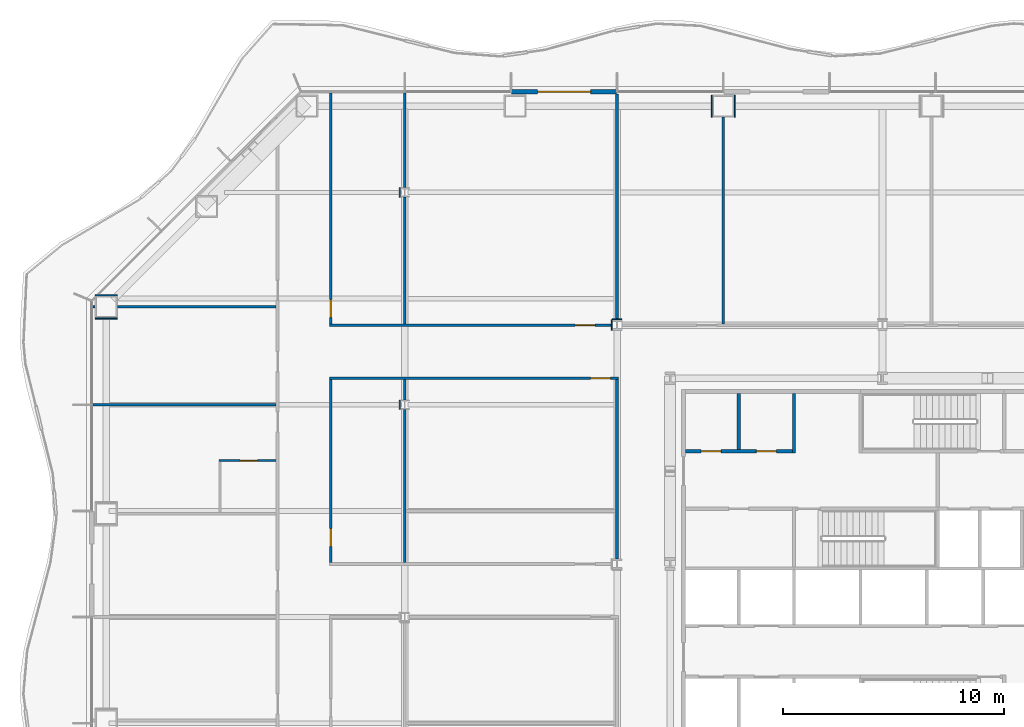
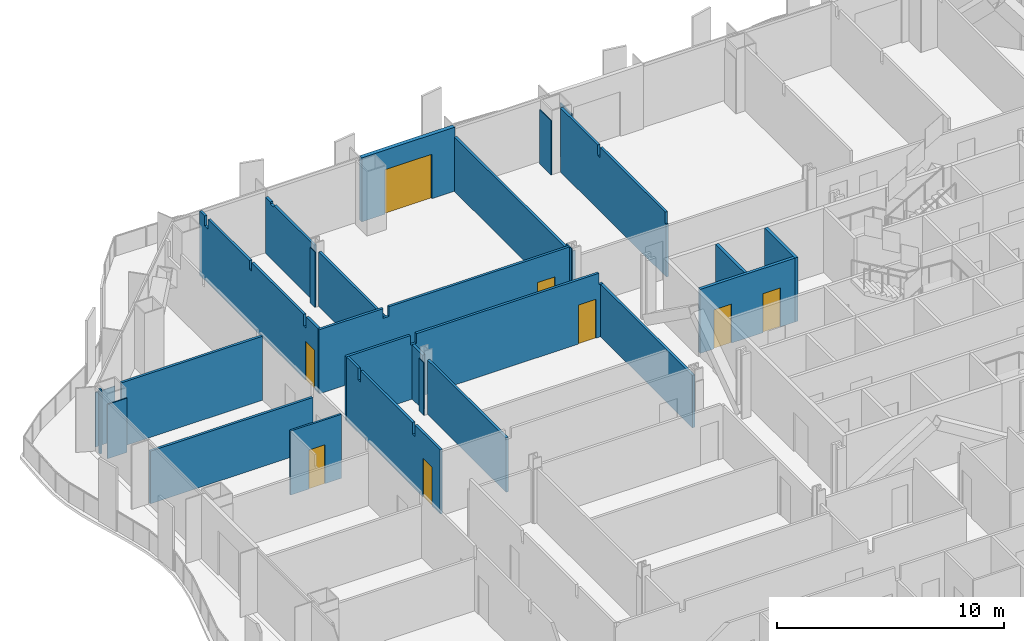
# One storey, part 12 of 21: 27 walls, 8 doors, 8 openings.
"""IFC4 building model written with IfcOpenShell, lengths in metres."""

from ifc_helpers import new_model, si_unit, direction, frame, frame_2d, origin, place, context, subcontext, project, spatial, polyline, rectangle, outline, extrude, material, layer, layer_set, type_object, element, fill, save


model = new_model("IFC4")

# Units and contexts
model_context = context("Model", 3, precision=1e-05, world=origin(), true_north=direction((0.0, 1.0)))
body_context = subcontext(model_context, "Body", "Model", "MODEL_VIEW")
ifc_project = project(units=[si_unit("LENGTHUNIT", "METRE"), si_unit("AREAUNIT", "SQUARE_METRE"), si_unit("VOLUMEUNIT", "CUBIC_METRE"), si_unit("PLANEANGLEUNIT", "RADIAN"), si_unit("MASSUNIT", "GRAM", prefix="KILO")], contexts=[model_context])

# Site, building, storey
site_placement = place(None, origin())
site = spatial("IfcSite", under=ifc_project, at=site_placement, CompositionType="ELEMENT")
building_placement = place(site_placement, origin())
building = spatial("IfcBuilding", under=site, at=building_placement, Name="Cairn Pilgrim Tower", CompositionType="ELEMENT")
storey_placement = place(building_placement, frame((0.0, 0.0, 43.800048828125)))
storey = spatial("IfcBuildingStorey", under=building, at=storey_placement, Name="L08", CompositionType="ELEMENT", Elevation=43.800048828125)

# Wall, opening, door
ifc_material_1 = material(Name="Bronze anodised aluminium insulated sandwich panel with mineral wool fill", Category="aluminium")
ifc_layer_1 = layer(ifc_material_1, 0.199951171875)
ifc_layer_set_1 = layer_set([ifc_layer_1], Name="BRONZE INFILL FRAME WALL 200")
wall_type_1 = type_object("IfcWallType", Name="BRONZE INFILL FRAME WALL 200", PredefinedType="NOTDEFINED", material=ifc_layer_set_1)
wall_1_placement = place(storey_placement, frame((-4.830078125, 23.75, 0.0), z_axis=(0.0, 0.0, 1.0), x_axis=(-1.0, 0.0, 0.0)))
wall_1 = element("IfcWall", 1, at=wall_1_placement, inside=storey, type_object=wall_type_1, Name="Bronze infill frame wall IW-N6", PredefinedType="NOTDEFINED", context=body_context, shape_type="SweptSolid", body=[
    extrude(rectangle(XDim=4.739990234375, YDim=0.199951171875, at=frame_2d((2.3701171875, 0.0))), origin(), (0.0, 0.0, 1.0), 3.449951171875),
])
opening_1_placement = place(wall_1_placement, frame((1.169921875, 0.0, 0.0)))
opening_1 = element("IfcOpeningElement", 2, at=opening_1_placement, cuts=wall_1, Name="Opening 0816B", PredefinedType="OPENING", context=body_context, shape_type="SweptSolid", body=[
    extrude(rectangle(XDim=2.39990234375, YDim=2.39990234375, at=frame_2d((1.199951171875, 1.199951171875))), frame((0.0, 0.10986328125, 0.0), z_axis=(0.0, -1.0, 0.0), x_axis=(1.0, 0.0, 0.0)), (0.0, 0.0, 1.0), 0.219970703125),
])
ifc_material_2 = material(Name="Bronze anodised aluminium frame with tinted low-E glass", Category="aluminium")
door_type_1 = type_object("IfcDoorType", Name="BALCONY SLIDING DOOR 2400x2400", OperationType="DOUBLE_DOOR_SLIDING", PredefinedType="DOOR", material=ifc_material_2)
door_1_placement = place(opening_1_placement, origin())
door_1 = element("IfcDoor", 3, at=door_1_placement, inside=storey, type_object=door_type_1, Name="Balcony sliding door 0816B", OperationType="SINGLE_SWING_LEFT", OverallHeight=2.39990234375, OverallWidth=2.39990234375, PredefinedType="DOOR", context=body_context, shape_type="SweptSolid", body=[
    extrude(rectangle(XDim=2.39990234375, YDim=2.39990234375, at=frame_2d((1.199951171875, 1.199951171875))), frame((0.0, 0.02490234375, 0.0), z_axis=(0.0, -1.0, 0.0), x_axis=(1.0, 0.0, 0.0)), (0.0, 0.0, 1.0), 0.050048828125),
])
fill(opening_1, door_1)

# Wall, openings, doors
ifc_material_3 = material(Name="Concrete C32/40", Category="concrete")
ifc_layer_2 = layer(ifc_material_3, 0.14990234375)
ifc_layer_set_2 = layer_set([ifc_layer_2], Name="CORE PARTITION 150 EI 60")
wall_type_2 = type_object("IfcWallType", Name="CORE PARTITION 150 EI 60", PredefinedType="PARTITIONING", material=ifc_layer_set_2)
wall_2_placement = place(storey_placement, frame((-1.699951171875, 7.5, 0.0), z_axis=(0.0, 0.0, 1.0), x_axis=(1.0, 0.0, 0.0)))
wall_2 = element("IfcWall", 4, at=wall_2_placement, inside=storey, type_object=wall_type_2, Name="CW:L08:H09", PredefinedType="PARTITIONING", context=body_context, shape_type="SweptSolid", body=[
    extrude(rectangle(XDim=4.824951171875, YDim=0.14990234375, at=frame_2d((2.41259765625, 0.0))), origin(), (0.0, 0.0, 1.0), 3.449951171875),
])
opening_2_placement = place(wall_2_placement, frame((0.699951171875, 0.0, 0.0)))
opening_2 = element("IfcOpeningElement", 5, at=opening_2_placement, cuts=wall_2, Name="Opening RD-R4W1", PredefinedType="OPENING", context=body_context, shape_type="SweptSolid", body=[
    extrude(rectangle(XDim=0.89990234375, YDim=2.10009765625, at=frame_2d((0.449951171875, 1.050048828125))), frame((0.0, 0.0849609375, 0.0), z_axis=(0.0, -1.0, 0.0), x_axis=(1.0, 0.0, 0.0)), (0.0, 0.0, 1.0), 0.169921875),
])
opening_3_placement = place(wall_2_placement, frame((3.199951171875, 0.0, 0.0)))
opening_3 = element("IfcOpeningElement", 6, at=opening_3_placement, cuts=wall_2, Name="Opening RD-R4W2", PredefinedType="OPENING", context=body_context, shape_type="SweptSolid", body=[
    extrude(rectangle(XDim=0.89990234375, YDim=2.10009765625, at=frame_2d((0.449951171875, 1.050048828125))), frame((0.0, 0.0849609375, 0.0), z_axis=(0.0, -1.0, 0.0), x_axis=(1.0, 0.0, 0.0)), (0.0, 0.0, 1.0), 0.169921875),
])
ifc_material_4 = material(Name="Painted steel", Category="steel")
door_type_2 = type_object("IfcDoorType", Name="SERVICE ROOM DOOR 900x2100", OperationType="SINGLE_SWING_LEFT", PredefinedType="DOOR", material=ifc_material_4)
door_2_placement = place(opening_2_placement, origin())
door_2 = element("IfcDoor", 7, at=door_2_placement, inside=storey, type_object=door_type_2, Name="RD-R4W1", OperationType="SINGLE_SWING_RIGHT", OverallHeight=2.10009765625, OverallWidth=0.89990234375, PredefinedType="DOOR", context=body_context, shape_type="SweptSolid", body=[
    extrude(rectangle(XDim=0.89990234375, YDim=2.10009765625, at=frame_2d((0.449951171875, 1.050048828125))), frame((0.0, 0.02490234375, 0.0), z_axis=(0.0, -1.0, 0.0), x_axis=(1.0, 0.0, 0.0)), (0.0, 0.0, 1.0), 0.050048828125),
])
fill(opening_2, door_2)
door_3_placement = place(opening_3_placement, origin())
door_3 = element("IfcDoor", 8, at=door_3_placement, inside=storey, type_object=door_type_2, Name="RD-R4W2", OperationType="SINGLE_SWING_LEFT", OverallHeight=2.10009765625, OverallWidth=0.89990234375, PredefinedType="DOOR", context=body_context, shape_type="SweptSolid", body=[
    extrude(rectangle(XDim=0.89990234375, YDim=2.10009765625, at=frame_2d((0.449951171875, 1.050048828125))), frame((0.0, 0.02490234375, 0.0), z_axis=(0.0, -1.0, 0.0), x_axis=(1.0, 0.0, 0.0)), (0.0, 0.0, 1.0), 0.050048828125),
])
fill(opening_3, door_3)

# Walls
wall_3_placement = place(storey_placement, frame((0.699951171875, 7.574951171875, 0.0), z_axis=(0.0, 0.0, 1.0), x_axis=(0.0, 1.0, 0.0)))
element("IfcWall", 9, at=wall_3_placement, inside=storey, type_object=wall_type_2, Name="CW:L08:V15", PredefinedType="PARTITIONING", context=body_context, shape_type="SweptSolid", body=[
    extrude(rectangle(XDim=2.525146484375, YDim=0.14990234375, at=frame_2d((1.2626953125, 0.0))), origin(), (0.0, 0.0, 1.0), 3.449951171875),
])
wall_4_placement = place(storey_placement, frame((3.199951171875, 7.425048828125, 0.0), z_axis=(0.0, 0.0, 1.0), x_axis=(0.0, 1.0, 0.0)))
element("IfcWall", 10, at=wall_4_placement, inside=storey, type_object=wall_type_2, Name="CW:L08:V19", PredefinedType="PARTITIONING", context=body_context, shape_type="SweptSolid", body=[
    extrude(rectangle(XDim=2.675048828125, YDim=0.14990234375, at=frame_2d((1.33740234375, 0.0))), origin(), (0.0, 0.0, 1.0), 3.449951171875),
])

# Wall, opening, door
ifc_material_5 = material(Name="Gypsum partition")
ifc_layer_3 = layer(ifc_material_5, 0.10009765625)
ifc_layer_set_3 = layer_set([ifc_layer_3], Name="PARTITION 100 DRYWALL")
wall_type_3 = type_object("IfcWallType", Name="PARTITION 100 DRYWALL", PredefinedType="PARTITIONING", material=ifc_layer_set_3)
wall_5_placement = place(storey_placement, frame((-22.800048828125, 7.075927734375, 0.0), z_axis=(0.0, 0.0, 1.0), x_axis=(1.0, 0.0, 0.0)))
wall_5 = element("IfcWall", 11, at=wall_5_placement, inside=storey, type_object=wall_type_3, Name="PARTITION W068", PredefinedType="PARTITIONING", context=body_context, shape_type="SweptSolid", body=[
    extrude(rectangle(XDim=2.587646484375, YDim=0.10009765625, at=frame_2d((1.2939453125, 0.0))), origin(), (0.0, 0.0, 1.0), 3.449951171875),
])
opening_4_placement = place(wall_5_placement, frame((0.949951171875, 0.0, 0.0)))
opening_4 = element("IfcOpeningElement", 12, at=opening_4_placement, cuts=wall_5, Name="Opening 0812E", PredefinedType="OPENING", context=body_context, shape_type="SweptSolid", body=[
    extrude(rectangle(XDim=0.800048828125, YDim=2.10009765625, at=frame_2d((0.39990234375, 1.050048828125))), frame((0.0, 0.06005859375, 0.0), z_axis=(0.0, -1.0, 0.0), x_axis=(1.0, 0.0, 0.0)), (0.0, 0.0, 1.0), 0.1201171875),
])
ifc_material_6 = material(Name="Timber door leaf", Category="wood")
door_type_3 = type_object("IfcDoorType", Name="DOOR 800x2100", OperationType="NOTDEFINED", PredefinedType="DOOR", material=ifc_material_6)
door_4_placement = place(opening_4_placement, frame((0.800048828125, 0.0, 0.0), z_axis=(0.0, 0.0, 1.0), x_axis=(-1.0, 0.0, 0.0)))
door_4 = element("IfcDoor", 13, at=door_4_placement, inside=storey, type_object=door_type_3, Name="DOOR 0812E", OperationType="SINGLE_SWING_LEFT", OverallHeight=2.10009765625, OverallWidth=0.800048828125, PredefinedType="DOOR", context=body_context, shape_type="SweptSolid", body=[
    extrude(rectangle(XDim=0.800048828125, YDim=2.10009765625, at=frame_2d((0.39990234375, 1.050048828125))), frame((0.0, 0.02490234375, 0.0), z_axis=(0.0, -1.0, 0.0), x_axis=(1.0, 0.0, 0.0)), (0.0, 0.0, 1.0), 0.050048828125),
])
fill(opening_4, door_4)

ifc_layer_4 = layer(ifc_material_5, 0.125)
ifc_layer_set_4 = layer_set([ifc_layer_4], Name="PARTITION 125 DRYWALL EI 60")
wall_type_4 = type_object("IfcWallType", Name="PARTITION 125 DRYWALL EI 60", PredefinedType="PARTITIONING", material=ifc_layer_set_4)
wall_6_placement = place(storey_placement, frame((-17.75, 2.46240234375, 0.0), z_axis=(0.0, 0.0, 1.0), x_axis=(0.0, 1.0, 0.0)))
wall_6 = element("IfcWall", 14, at=wall_6_placement, inside=storey, type_object=wall_type_4, Name="PARTITION W060", PredefinedType="PARTITIONING", context=body_context, shape_type="SweptSolid", body=[
    extrude(outline(polyline([(0.0, 0.0), (8.275146484375, 0.0), (8.27490234375, 3.449951171875), (7.24755859375, 3.449951171875), (7.24560546875, 2.829833984375), (7.027587890625, 2.829833984375), (7.025390625, 3.449951171875), (2.447509765625, 3.449951171875), (2.445556640625, 2.829833984375), (2.2275390625, 2.829833984375), (2.2255859375, 3.449951171875), (0.0, 3.449951171875), (0.0, 0.0)])), frame((0.0, 0.0625, 0.0), z_axis=(0.0, -1.0, 0.0), x_axis=(1.0, 0.0, 0.0)), (0.0, 0.0, 1.0), 0.125),
])
opening_5_placement = place(wall_6_placement, frame((0.737548828125, 0.0, 0.0)))
opening_5 = element("IfcOpeningElement", 15, at=opening_5_placement, cuts=wall_6, Name="Opening 0833", PredefinedType="OPENING", context=body_context, shape_type="SweptSolid", body=[
    extrude(rectangle(XDim=0.800048828125, YDim=2.10009765625, at=frame_2d((0.39990234375, 1.050048828125))), frame((0.0, 0.072509765625, 0.0), z_axis=(0.0, -1.0, 0.0), x_axis=(1.0, 0.0, 0.0)), (0.0, 0.0, 1.0), 0.14501953125),
])
ifc_material_7 = material(Name="Steel-faced fire door leaf", Category="steel")
door_type_4 = type_object("IfcDoorType", Name="FIRE DOOR 800x2100 FD30S", OperationType="NOTDEFINED", PredefinedType="DOOR", material=ifc_material_7)
door_5_placement = place(opening_5_placement, frame((0.800048828125, 0.0, 0.0), z_axis=(0.0, 0.0, 1.0), x_axis=(-1.0, 0.0, 0.0)))
door_5 = element("IfcDoor", 16, at=door_5_placement, inside=storey, type_object=door_type_4, Name="DOOR 0833", OperationType="SINGLE_SWING_RIGHT", OverallHeight=2.10009765625, OverallWidth=0.800048828125, PredefinedType="DOOR", context=body_context, shape_type="SweptSolid", body=[
    extrude(rectangle(XDim=0.800048828125, YDim=2.10009765625, at=frame_2d((0.39990234375, 1.050048828125))), frame((0.0, 0.02490234375, 0.0), z_axis=(0.0, -1.0, 0.0), x_axis=(1.0, 0.0, 0.0)), (0.0, 0.0, 1.0), 0.050048828125),
])
fill(opening_5, door_5)

# Walls
wall_7_placement = place(storey_placement, frame((-14.39990234375, 2.46240234375, 0.0), z_axis=(0.0, 0.0, 1.0), x_axis=(0.0, 1.0, 0.0)))
element("IfcWall", 17, at=wall_7_placement, inside=storey, type_object=wall_type_4, Name="PARTITION W061", PredefinedType="PARTITIONING", context=body_context, shape_type="SweptSolid", body=[
    extrude(rectangle(XDim=6.925048828125, YDim=0.125, at=frame_2d((3.46240234375, 0.0))), origin(), (0.0, 0.0, 1.0), 2.929931640625),
])
wall_8_placement = place(storey_placement, frame((-4.800048828125, 2.636962890625, 0.0), z_axis=(0.0, 0.0, 1.0), x_axis=(0.0, 1.0, 0.0)))
element("IfcWall", 18, at=wall_8_placement, inside=storey, type_object=wall_type_4, Name="PARTITION W062", PredefinedType="PARTITIONING", context=body_context, shape_type="SweptSolid", body=[
    extrude(rectangle(XDim=8.1005859375, YDim=0.125, at=frame_2d((4.05029296875, 0.0))), origin(), (0.0, 0.0, 1.0), 2.829833984375),
])
wall_9_placement = place(storey_placement, frame((-28.489990234375, 9.60009765625, 0.0), z_axis=(0.0, 0.0, 1.0), x_axis=(1.0, 0.0, 0.0)))
element("IfcWall", 19, at=wall_9_placement, inside=storey, type_object=wall_type_4, Name="PARTITION W071", PredefinedType="PARTITIONING", context=body_context, shape_type="SweptSolid", body=[
    extrude(rectangle(XDim=8.277587890625, YDim=0.125, at=frame_2d((4.138671875, 0.0))), origin(), (0.0, 0.0, 1.0), 2.829833984375),
])
wall_10_placement = place(storey_placement, frame((-14.39990234375, 9.8125, 0.0), z_axis=(0.0, 0.0, 1.0), x_axis=(0.0, 1.0, 0.0)))
element("IfcWall", 20, at=wall_10_placement, inside=storey, type_object=wall_type_4, Name="PARTITION W073", PredefinedType="PARTITIONING", context=body_context, shape_type="SweptSolid", body=[
    extrude(rectangle(XDim=0.925048828125, YDim=0.125, at=frame_2d((0.46240234375, 0.0))), origin(), (0.0, 0.0, 1.0), 2.929931640625),
])

# Wall, opening, door
wall_11_placement = place(storey_placement, frame((-17.8125, 10.800048828125, 0.0), z_axis=(0.0, 0.0, 1.0), x_axis=(1.0, 0.0, 0.0)))
wall_11 = element("IfcWall", 21, at=wall_11_placement, inside=storey, type_object=wall_type_4, Name="PARTITION W074", PredefinedType="PARTITIONING", context=body_context, shape_type="SweptSolid", body=[
    extrude(outline(polyline([(0.0, 0.0), (13.074951171875, 0.0), (13.074951171875, 2.829833984375), (12.862548828125, 2.829833984375), (12.860595703125, 3.449951171875), (3.5625, 3.449951171875), (3.560546875, 2.929931640625), (3.262451171875, 2.929931640625), (3.260498046875, 3.449951171875), (0.0, 3.449951171875), (0.0, 0.0)])), frame((0.0, 0.0625, 0.0), z_axis=(0.0, -1.0, 0.0), x_axis=(1.0, 0.0, 0.0)), (0.0, 0.0, 1.0), 0.125),
])
opening_6_placement = place(wall_11_placement, frame((11.8125, 0.0, 0.0)))
opening_6 = element("IfcOpeningElement", 22, at=opening_6_placement, cuts=wall_11, Name="Opening 0831", PredefinedType="OPENING", context=body_context, shape_type="SweptSolid", body=[
    extrude(rectangle(XDim=0.89990234375, YDim=2.10009765625, at=frame_2d((0.449951171875, 1.050048828125))), frame((0.0, 0.072509765625, 0.0), z_axis=(0.0, -1.0, 0.0), x_axis=(1.0, 0.0, 0.0)), (0.0, 0.0, 1.0), 0.14501953125),
])
door_type_5 = type_object("IfcDoorType", Name="FIRE DOOR 900x2100 FD30S", OperationType="NOTDEFINED", PredefinedType="DOOR", material=ifc_material_7)
door_6_placement = place(opening_6_placement, frame((0.89990234375, 0.0, 0.0), z_axis=(0.0, 0.0, 1.0), x_axis=(-1.0, 0.0, 0.0)))
door_6 = element("IfcDoor", 23, at=door_6_placement, inside=storey, type_object=door_type_5, Name="DOOR 0831", OperationType="SINGLE_SWING_RIGHT", OverallHeight=2.10009765625, OverallWidth=0.89990234375, PredefinedType="DOOR", context=body_context, shape_type="SweptSolid", body=[
    extrude(rectangle(XDim=0.89990234375, YDim=2.10009765625, at=frame_2d((0.449951171875, 1.050048828125))), frame((0.0, 0.02490234375, 0.0), z_axis=(0.0, -1.0, 0.0), x_axis=(1.0, 0.0, 0.0)), (0.0, 0.0, 1.0), 0.050048828125),
])
fill(opening_6, door_6)

wall_12_placement = place(storey_placement, frame((-17.8125, 13.199951171875, 0.0), z_axis=(0.0, 0.0, 1.0), x_axis=(1.0, 0.0, 0.0)))
wall_12 = element("IfcWall", 24, at=wall_12_placement, inside=storey, type_object=wall_type_4, Name="PARTITION W075", PredefinedType="PARTITIONING", context=body_context, shape_type="SweptSolid", body=[
    extrude(outline(polyline([(0.0, 0.0), (12.800537109375, 0.0), (12.800537109375, 3.449951171875), (3.5625, 3.449951171875), (3.560546875, 2.929931640625), (3.262451171875, 2.929931640625), (3.260498046875, 3.449951171875), (0.0, 3.449951171875), (0.0, 0.0)])), frame((0.0, 0.0625, 0.0), z_axis=(0.0, -1.0, 0.0), x_axis=(1.0, 0.0, 0.0)), (0.0, 0.0, 1.0), 0.125),
])
opening_7_placement = place(wall_12_placement, frame((11.112548828125, 0.0, 0.0)))
opening_7 = element("IfcOpeningElement", 25, at=opening_7_placement, cuts=wall_12, Name="Opening 0816", PredefinedType="OPENING", context=body_context, shape_type="SweptSolid", body=[
    extrude(rectangle(XDim=0.89990234375, YDim=2.10009765625, at=frame_2d((0.449951171875, 1.050048828125))), frame((0.0, 0.072509765625, 0.0), z_axis=(0.0, -1.0, 0.0), x_axis=(1.0, 0.0, 0.0)), (0.0, 0.0, 1.0), 0.14501953125),
])
door_7_placement = place(opening_7_placement, origin())
door_7 = element("IfcDoor", 26, at=door_7_placement, inside=storey, type_object=door_type_5, Name="DOOR 0816", OperationType="SINGLE_SWING_LEFT", OverallHeight=2.10009765625, OverallWidth=0.89990234375, PredefinedType="DOOR", context=body_context, shape_type="SweptSolid", body=[
    extrude(rectangle(XDim=0.89990234375, YDim=2.10009765625, at=frame_2d((0.449951171875, 1.050048828125))), frame((0.0, 0.02490234375, 0.0), z_axis=(0.0, -1.0, 0.0), x_axis=(1.0, 0.0, 0.0)), (0.0, 0.0, 1.0), 0.050048828125),
])
fill(opening_7, door_7)

wall_13_placement = place(storey_placement, frame((-17.75, 13.262451171875, 0.0), z_axis=(0.0, 0.0, 1.0), x_axis=(0.0, 1.0, 0.0)))
wall_13 = element("IfcWall", 27, at=wall_13_placement, inside=storey, type_object=wall_type_4, Name="PARTITION W078", PredefinedType="PARTITIONING", context=body_context, shape_type="SweptSolid", body=[
    extrude(outline(polyline([(0.0, 0.0), (10.427490234375, 0.0), (10.427490234375, 3.449951171875), (9.987548828125, 3.449951171875), (9.985595703125, 2.929931640625), (9.6875, 2.929931640625), (9.685546875, 3.449951171875), (6.032470703125, 3.449951171875), (6.030517578125, 2.97998046875), (5.842529296875, 2.97998046875), (5.840576171875, 3.449951171875), (1.24755859375, 3.449951171875), (1.24560546875, 2.829833984375), (1.027587890625, 2.829833984375), (1.025390625, 3.449951171875), (0.0, 3.449951171875), (0.0, 0.0)])), frame((0.0, 0.0625, 0.0), z_axis=(0.0, -1.0, 0.0), x_axis=(1.0, 0.0, 0.0)), (0.0, 0.0, 1.0), 0.125),
])
opening_8_placement = place(wall_13_placement, frame((0.28759765625, 0.0, 0.0)))
opening_8 = element("IfcOpeningElement", 28, at=opening_8_placement, cuts=wall_13, Name="Opening 0815", PredefinedType="OPENING", context=body_context, shape_type="SweptSolid", body=[
    extrude(rectangle(XDim=0.800048828125, YDim=2.10009765625, at=frame_2d((0.39990234375, 1.050048828125))), frame((0.0, 0.072509765625, 0.0), z_axis=(0.0, -1.0, 0.0), x_axis=(1.0, 0.0, 0.0)), (0.0, 0.0, 1.0), 0.14501953125),
])
door_8_placement = place(opening_8_placement, frame((0.800048828125, 0.0, 0.0), z_axis=(0.0, 0.0, 1.0), x_axis=(-1.0, 0.0, 0.0)))
door_8 = element("IfcDoor", 29, at=door_8_placement, inside=storey, type_object=door_type_4, Name="DOOR 0815", OperationType="SINGLE_SWING_RIGHT", OverallHeight=2.10009765625, OverallWidth=0.800048828125, PredefinedType="DOOR", context=body_context, shape_type="SweptSolid", body=[
    extrude(rectangle(XDim=0.800048828125, YDim=2.10009765625, at=frame_2d((0.39990234375, 1.050048828125))), frame((0.0, 0.02490234375, 0.0), z_axis=(0.0, -1.0, 0.0), x_axis=(1.0, 0.0, 0.0)), (0.0, 0.0, 1.0), 0.050048828125),
])
fill(opening_8, door_8)

# Walls
wall_14_placement = place(storey_placement, frame((-14.39990234375, 13.262451171875, 0.0), z_axis=(0.0, 0.0, 1.0), x_axis=(0.0, 1.0, 0.0)))
element("IfcWall", 30, at=wall_14_placement, inside=storey, type_object=wall_type_4, Name="PARTITION W079", PredefinedType="PARTITIONING", context=body_context, shape_type="SweptSolid", body=[
    extrude(rectangle(XDim=5.72509765625, YDim=0.125, at=frame_2d((2.862548828125, 0.0))), origin(), (0.0, 0.0, 1.0), 2.929931640625),
])
wall_15_placement = place(storey_placement, frame((0.0, 13.262451171875, 0.0), z_axis=(0.0, 0.0, 1.0), x_axis=(0.0, 1.0, 0.0)))
element("IfcWall", 31, at=wall_15_placement, inside=storey, type_object=wall_type_4, Name="PARTITION W080", PredefinedType="PARTITIONING", context=body_context, shape_type="SweptSolid", body=[
    extrude(outline(polyline([(0.0, 0.0), (9.337646484375, 0.0), (9.33740234375, 3.449951171875), (6.04248046875, 3.449951171875), (6.04052734375, 2.8798828125), (5.83251953125, 2.8798828125), (5.83056640625, 3.449951171875), (0.08740234375, 3.449951171875), (0.08544921875, 2.829833984375), (0.0, 2.829833984375), (0.0, 0.0)])), frame((0.0, 0.0625, 0.0), z_axis=(0.0, -1.0, 0.0), x_axis=(1.0, 0.0, 0.0)), (0.0, 0.0, 1.0), 0.125),
])
wall_16_placement = place(storey_placement, frame((-4.800048828125, 13.43701171875, 0.0), z_axis=(0.0, 0.0, 1.0), x_axis=(0.0, 1.0, 0.0)))
element("IfcWall", 32, at=wall_16_placement, inside=storey, type_object=wall_type_4, Name="PARTITION W083", PredefinedType="PARTITIONING", context=body_context, shape_type="SweptSolid", body=[
    extrude(rectangle(XDim=10.212890625, YDim=0.125, at=frame_2d((5.1064453125, 0.0))), origin(), (0.0, 0.0, 1.0), 2.929931640625),
])
wall_17_placement = place(storey_placement, frame((-28.5029296875, 14.027099609375, 0.0), z_axis=(0.0, 0.0, 1.0), x_axis=(1.0, 0.0, 0.0)))
element("IfcWall", 33, at=wall_17_placement, inside=storey, type_object=wall_type_4, Name="PARTITION W085", PredefinedType="PARTITIONING", context=body_context, shape_type="SweptSolid", body=[
    extrude(rectangle(XDim=0.10302734375, YDim=0.125, at=frame_2d((0.051513671875, 0.0))), origin(), (0.0, 0.0, 1.0), 3.449951171875),
])
wall_18_placement = place(storey_placement, frame((-27.39990234375, 14.027099609375, 0.0), z_axis=(0.0, 0.0, 1.0), x_axis=(1.0, 0.0, 0.0)))
element("IfcWall", 34, at=wall_18_placement, inside=storey, type_object=wall_type_4, Name="PARTITION W086", PredefinedType="PARTITIONING", context=body_context, shape_type="SweptSolid", body=[
    extrude(rectangle(XDim=7.1875, YDim=0.125, at=frame_2d((3.59375, 0.0))), origin(), (0.0, 0.0, 1.0), 3.449951171875),
])
wall_19_placement = place(storey_placement, frame((-14.39990234375, 19.41259765625, 0.0), z_axis=(0.0, 0.0, 1.0), x_axis=(0.0, 1.0, 0.0)))
element("IfcWall", 35, at=wall_19_placement, inside=storey, type_object=wall_type_4, Name="PARTITION W087", PredefinedType="PARTITIONING", context=body_context, shape_type="SweptSolid", body=[
    extrude(outline(polyline([(0.0, 0.0), (4.27734375, 0.0), (4.277587890625, 3.030029296875), (3.83740234375, 3.030029296875), (3.83544921875, 2.929931640625), (3.53759765625, 2.929931640625), (3.535400390625, 3.030029296875), (0.0, 3.030029296875), (0.0, 0.0)])), frame((0.0, 0.0625, 0.0), z_axis=(0.0, -1.0, 0.0), x_axis=(1.0, 0.0, 0.0)), (0.0, 0.0, 1.0), 0.125),
])
ifc_layer_5 = layer(ifc_material_5, 0.050048828125)
ifc_layer_set_5 = layer_set([ifc_layer_5], Name="PARTITION 50 DRYWALL EI 60")
wall_type_5 = type_object("IfcWallType", Name="PARTITION 50 DRYWALL EI 60", PredefinedType="PARTITIONING", material=ifc_layer_set_5)
wall_20_placement = place(storey_placement, frame((-14.62939453125, 9.387451171875, 0.0), z_axis=(0.0, 0.0, 1.0), x_axis=(0.0, 1.0, 0.0)))
element("IfcWall", 36, at=wall_20_placement, inside=storey, type_object=wall_type_5, Name="COLUMN CASING WC25", PredefinedType="PARTITIONING", context=body_context, shape_type="SweptSolid", body=[
    extrude(rectangle(XDim=0.425048828125, YDim=0.050048828125, at=frame_2d((0.21240234375, 0.0))), origin(), (0.0, 0.0, 1.0), 2.829833984375),
])
wall_21_placement = place(storey_placement, frame((-5.011962890625, 13.4619140625, 0.0), z_axis=(0.0, 0.0, 1.0), x_axis=(1.0, 0.0, 0.0)))
element("IfcWall", 37, at=wall_21_placement, inside=storey, type_object=wall_type_5, Name="COLUMN CASING WC31", PredefinedType="PARTITIONING", context=body_context, shape_type="SweptSolid", body=[
    extrude(rectangle(XDim=0.424072265625, YDim=0.050048828125, at=frame_2d((0.2119140625, 0.0))), origin(), (0.0, 0.0, 1.0), 2.929931640625),
])
wall_22_placement = place(storey_placement, frame((-14.62939453125, 18.987548828125, 0.0), z_axis=(0.0, 0.0, 1.0), x_axis=(0.0, 1.0, 0.0)))
element("IfcWall", 38, at=wall_22_placement, inside=storey, type_object=wall_type_5, Name="COLUMN CASING WC35", PredefinedType="PARTITIONING", context=body_context, shape_type="SweptSolid", body=[
    extrude(rectangle(XDim=0.425048828125, YDim=0.050048828125, at=frame_2d((0.21240234375, 0.0))), origin(), (0.0, 0.0, 1.0), 2.97998046875),
])
wall_23_placement = place(storey_placement, frame((-5.037109375, 12.962890625, 0.0), z_axis=(0.0, 0.0, 1.0), x_axis=(0.0, 1.0, 0.0)))
element("IfcWall", 39, at=wall_23_placement, inside=storey, type_object=wall_type_5, Name="COLUMN CASING WC36", PredefinedType="PARTITIONING", context=body_context, shape_type="SweptSolid", body=[
    extrude(rectangle(XDim=0.47412109375, YDim=0.050048828125, at=frame_2d((0.237060546875, 0.0))), origin(), (0.0, 0.0, 1.0), 3.449951171875),
])
for number, where, z_axis, x_axis, name in (
    (40, (-0.52490234375, 22.60009765625, 0.0), (0.0, 0.0, 1.0), (0.0, 1.0, 0.0), "COLUMN CASING WC37"),
    (41, (0.52490234375, 22.60009765625, 0.0), (0.0, 0.0, 1.0), (0.0, 1.0, 0.0), "COLUMN CASING WC38"),
    (42, (-28.39990234375, 14.55224609375, 0.0), (0.0, 0.0, 1.0), (1.0, 0.0, 0.0), "COLUMN CASING WC41"),
    (43, (-28.39990234375, 13.502197265625, 0.0), (0.0, 0.0, 1.0), (1.0, 0.0, 0.0), "COLUMN CASING WC42"),
):
    element("IfcWall", number, at=place(storey_placement, frame(where, z_axis=z_axis, x_axis=x_axis)), inside=storey, type_object=wall_type_5, Name=name, PredefinedType="PARTITIONING", context=body_context, shape_type="SweptSolid", body=[
        extrude(rectangle(XDim=1.0, YDim=0.050048828125, at=frame_2d((0.5, 0.0))), origin(), (0.0, 0.0, 1.0), 2.929931640625),
    ])

save(model, "model.ifc")
